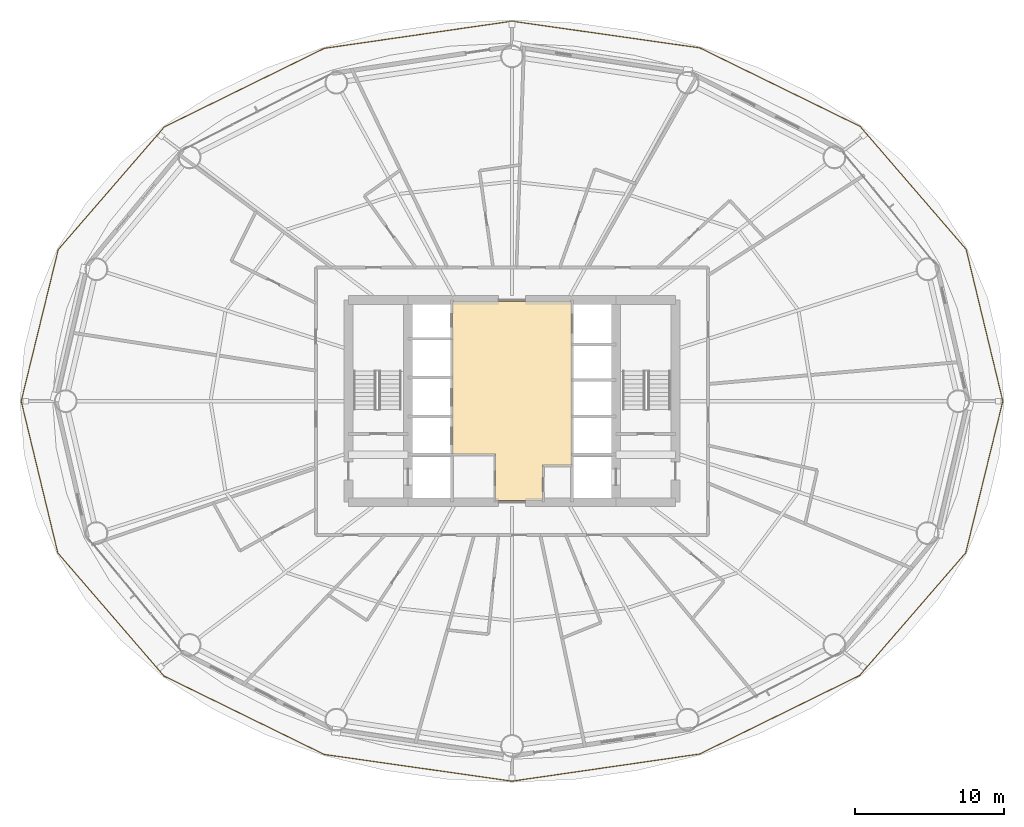
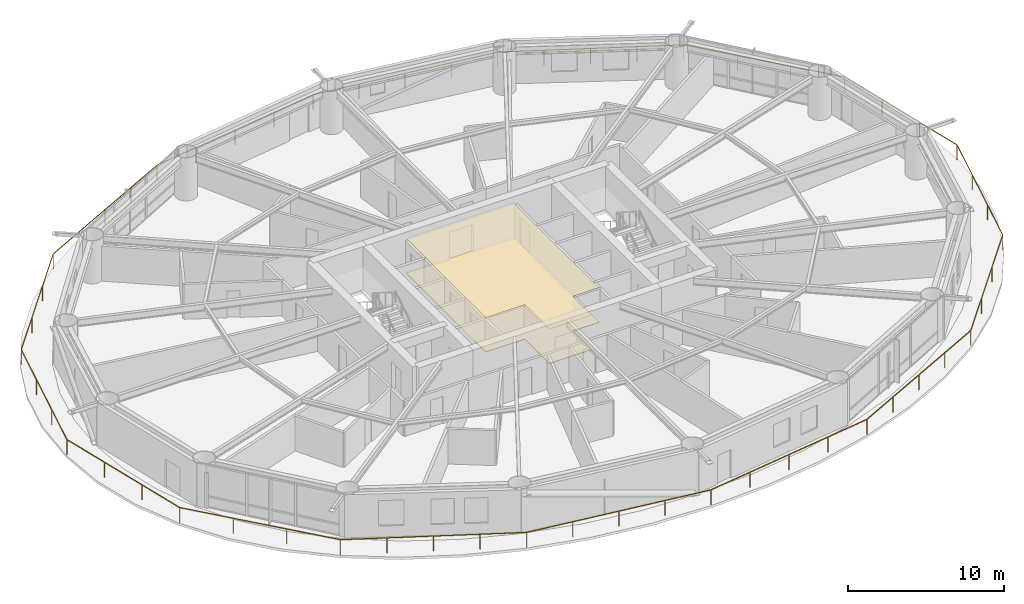
# One storey, part 25 of 26: 2 coverings, 1 railing.
"""IFC4 building model written with IfcOpenShell, lengths in metres."""

from ifc_helpers import new_model, si_unit, direction, frame, origin, origin_2d, place, context, subcontext, project, spatial, polyline, rectangle, outline, extrude, material, layer, layer_set, type_object, element, save


model = new_model("IFC4")

# Units and contexts
model_context = context("Model", 3, precision=1e-05, world=origin(), true_north=direction((0.0, 1.0)))
body_context = subcontext(model_context, "Body", "Model", "MODEL_VIEW")
ifc_project = project(units=[si_unit("LENGTHUNIT", "METRE"), si_unit("AREAUNIT", "SQUARE_METRE"), si_unit("VOLUMEUNIT", "CUBIC_METRE"), si_unit("PLANEANGLEUNIT", "RADIAN"), si_unit("MASSUNIT", "GRAM", prefix="KILO")], contexts=[model_context])

# Site, building, storey
site_placement = place(None, origin())
site = spatial("IfcSite", under=ifc_project, at=site_placement, CompositionType="ELEMENT")
building_placement = place(site_placement, origin())
building = spatial("IfcBuilding", under=site, at=building_placement, Name="Sarneth Arch Tower", CompositionType="ELEMENT")
storey_placement = place(building_placement, frame((0.0, 0.0, 35.39990234375)))
storey = spatial("IfcBuildingStorey", under=building, at=storey_placement, Name="L07", CompositionType="ELEMENT", Elevation=35.39990234375)

# Coverings
ifc_material_1 = material(Name="Perforated acoustic gypsum ceiling board")
ifc_layer_1 = layer(ifc_material_1, 0.02490234375)
ifc_layer_set_1 = layer_set([ifc_layer_1], Name="Perforated acoustic gypsum ceiling board")
covering_type_1 = type_object("IfcCoveringType", Name="COV-CEIL-GYP", PredefinedType="CEILING", material=ifc_layer_set_1)
covering_1_placement = place(storey_placement, frame((0.0, 0.0, 2.710205078125)))
element("IfcCovering", 1, at=covering_1_placement, inside=storey, type_object=covering_type_1, Name="L07 Lift lobby acoustic ceiling", PredefinedType="CEILING", context=body_context, shape_type="SweptSolid", body=[
    extrude(outline(polyline([(52.0, 37.699951171875), (50.050048828125, 37.699951171875), (50.050048828125, 35.300048828125), (46.89990234375, 35.300048828125), (46.89990234375, 38.449951171875), (44.0, 38.449951171875), (44.0, 48.699951171875), (52.0, 48.699951171875), (52.0, 37.699951171875)])), origin(), (0.0, 0.0, 1.0), 0.02978515625),
])
ifc_material_2 = material(Name="Honed granite stone flooring", Category="masonry")
ifc_layer_2 = layer(ifc_material_2, 0.030029296875)
ifc_layer_set_2 = layer_set([ifc_layer_2], Name="Honed granite stone flooring")
covering_type_2 = type_object("IfcCoveringType", Name="COV-FLR-STONE", PredefinedType="FLOORING", material=ifc_layer_set_2)
covering_2_placement = place(storey_placement, origin())
element("IfcCovering", 2, at=covering_2_placement, inside=storey, type_object=covering_type_2, Name="L07 Lift lobby granite flooring", PredefinedType="FLOORING", context=body_context, shape_type="SweptSolid", body=[
    extrude(outline(polyline([(52.0, 37.699951171875), (50.050048828125, 37.699951171875), (50.050048828125, 35.300048828125), (46.89990234375, 35.300048828125), (46.89990234375, 38.449951171875), (44.0, 38.449951171875), (44.0, 48.699951171875), (52.0, 48.699951171875), (52.0, 37.699951171875)])), origin(), (0.0, 0.0, 1.0), 0.030029296875),
])

# Railing
ifc_material_3 = material(Name="Laminated structural glass infill with Stainless Steel 316 top rail and posts", Category="steel")
railing_type = type_object("IfcRailingType", Name="RAIL-BALC-1200", PredefinedType="BALUSTRADE", material=ifc_material_3)
railing_placement = place(storey_placement, frame((81.02880859375, 42.0, 0.0)))
element("IfcRailing", 3, at=railing_placement, inside=storey, type_object=railing_type, Name="L07 Helical balcony glass balustrade", PredefinedType="BALUSTRADE", context=body_context, shape_type="SweptSolid", body=[
    extrude(rectangle(XDim=0.048095703125, YDim=0.048095703125, at=origin_2d()), frame((0.0, 0.0, 1.17578125), z_axis=(-0.234723032246, 0.972062291283, 0.0), x_axis=(-0.972062291283, -0.234723032246, 0.0)), (0.0, 0.0, 1.0), 10.510498046875),
    extrude(rectangle(XDim=0.048095703125, YDim=0.048095703125, at=origin_2d()), frame((-2.467041015625, 10.216796875, 1.17578125), z_axis=(-0.65319760514, 0.757187485792, 0.0), x_axis=(-0.757187485792, -0.65319760514, 0.0)), (0.0, 0.0, 1.0), 10.93115234375),
    extrude(rectangle(XDim=0.048095703125, YDim=0.048095703125, at=origin_2d()), frame((-9.607177734375, 18.49365234375, 1.17578125), z_axis=(-0.898128416746, 0.439733268054, 0.0), x_axis=(-0.439733268054, -0.898128416746, 0.0)), (0.0, 0.0, 1.0), 12.009521484375),
    extrude(rectangle(XDim=0.048095703125, YDim=0.048095703125, at=origin_2d()), frame((-20.393310546875, 23.774658203125, 1.17578125), z_axis=(-0.990047199283, 0.140735721092, 0.0), x_axis=(-0.140735721092, -0.990047199283, 0.0)), (0.0, 0.0, 1.0), 12.762451171875),
    extrude(rectangle(XDim=0.048095703125, YDim=0.048095703125, at=origin_2d()), frame((-33.02880859375, 25.57080078125, 1.17578125), z_axis=(-0.989696079255, -0.143184044879, 0.0), x_axis=(0.143184044879, -0.989696079255, 0.0)), (0.0, 0.0, 1.0), 12.75732421875),
    extrude(rectangle(XDim=0.048095703125, YDim=0.048095703125, at=origin_2d()), frame((-45.65478515625, 23.744140625, 1.17578125), z_axis=(-0.8976477026, -0.440713741579, 0.0), x_axis=(0.440713741579, -0.8976477026, 0.0)), (0.0, 0.0, 1.0), 11.99609375),
    extrude(rectangle(XDim=0.048095703125, YDim=0.048095703125, at=origin_2d()), frame((-56.423095703125, 18.457275390625, 1.17578125), z_axis=(-0.654099017156, -0.756408934212, 0.0), x_axis=(0.756408934212, -0.654099017156, 0.0)), (0.0, 0.0, 1.0), 10.914794921875),
    extrude(rectangle(XDim=0.048095703125, YDim=0.048095703125, at=origin_2d()), frame((-63.5625, 10.201171875, 1.17578125), z_axis=(-0.237587632347, -0.97136610861, 0.0), x_axis=(0.97136610861, -0.237587632347, 0.0)), (0.0, 0.0, 1.0), 10.501953125),
    extrude(rectangle(XDim=0.048095703125, YDim=0.048095703125, at=origin_2d()), frame((-66.0576171875, 0.0, 1.17578125), z_axis=(0.234723032246, -0.972062291283, 0.0), x_axis=(0.972062291283, 0.234723032246, 0.0)), (0.0, 0.0, 1.0), 10.510498046875),
    extrude(rectangle(XDim=0.048095703125, YDim=0.048095703125, at=origin_2d()), frame((-63.590576171875, -10.216796875, 1.17578125), z_axis=(0.65319760514, -0.757187485792, 0.0), x_axis=(0.757187485792, 0.65319760514, 0.0)), (0.0, 0.0, 1.0), 10.93115234375),
    extrude(rectangle(XDim=0.048095703125, YDim=0.048095703125, at=origin_2d()), frame((-56.450439453125, -18.49365234375, 1.17578125), z_axis=(0.898128416746, -0.439733268054, 0.0), x_axis=(0.439733268054, 0.898128416746, 0.0)), (0.0, 0.0, 1.0), 12.009521484375),
    extrude(rectangle(XDim=0.048095703125, YDim=0.048095703125, at=origin_2d()), frame((-45.664306640625, -23.774658203125, 1.17578125), z_axis=(0.990047199283, -0.140735721092, 0.0), x_axis=(0.140735721092, 0.990047199283, 0.0)), (0.0, 0.0, 1.0), 12.762451171875),
    extrude(rectangle(XDim=0.048095703125, YDim=0.048095703125, at=origin_2d()), frame((-33.02880859375, -25.57080078125, 1.17578125), z_axis=(0.989696079255, 0.143184044879, 0.0), x_axis=(-0.143184044879, 0.989696079255, 0.0)), (0.0, 0.0, 1.0), 12.75732421875),
    extrude(rectangle(XDim=0.048095703125, YDim=0.048095703125, at=origin_2d()), frame((-20.40283203125, -23.744140625, 1.17578125), z_axis=(0.8976477026, 0.440713741579, 0.0), x_axis=(-0.440713741579, 0.8976477026, 0.0)), (0.0, 0.0, 1.0), 11.99609375),
    extrude(rectangle(XDim=0.048095703125, YDim=0.048095703125, at=origin_2d()), frame((-9.634521484375, -18.457275390625, 1.17578125), z_axis=(0.654099017156, 0.756408934212, 0.0), x_axis=(-0.756408934212, 0.654099017156, 0.0)), (0.0, 0.0, 1.0), 10.914794921875),
    extrude(rectangle(XDim=0.048095703125, YDim=0.048095703125, at=origin_2d()), frame((-2.4951171875, -10.201171875, 1.17578125), z_axis=(0.237587632347, 0.97136610861, 0.0), x_axis=(-0.97136610861, 0.237587632347, 0.0)), (0.0, 0.0, 1.0), 10.501953125),
    extrude(rectangle(XDim=0.0419921875, YDim=0.0419921875, at=origin_2d()), origin(), (0.0, 0.0, 1.0), 1.15185546875),
    extrude(rectangle(XDim=0.0419921875, YDim=0.0419921875, at=origin_2d()), frame((-0.822265625, 3.405517578125, 0.0)), (0.0, 0.0, 1.0), 1.15185546875),
    extrude(rectangle(XDim=0.0419921875, YDim=0.0419921875, at=origin_2d()), frame((-1.644775390625, 6.811279296875, 0.0)), (0.0, 0.0, 1.0), 1.15185546875),
    extrude(rectangle(XDim=0.0419921875, YDim=0.0419921875, at=origin_2d()), frame((-2.467041015625, 10.216796875, 0.0)), (0.0, 0.0, 1.0), 1.15185546875),
    extrude(rectangle(XDim=0.0419921875, YDim=0.0419921875, at=origin_2d()), frame((-4.84716796875, 12.975830078125, 0.0)), (0.0, 0.0, 1.0), 1.15185546875),
    extrude(rectangle(XDim=0.0419921875, YDim=0.0419921875, at=origin_2d()), frame((-7.22705078125, 15.734619140625, 0.0)), (0.0, 0.0, 1.0), 1.15185546875),
    extrude(rectangle(XDim=0.0419921875, YDim=0.0419921875, at=origin_2d()), frame((-9.607177734375, 18.49365234375, 0.0)), (0.0, 0.0, 1.0), 1.15185546875),
    extrude(rectangle(XDim=0.0419921875, YDim=0.0419921875, at=origin_2d()), frame((-12.3037109375, 19.81396484375, 0.0)), (0.0, 0.0, 1.0), 1.15185546875),
    extrude(rectangle(XDim=0.0419921875, YDim=0.0419921875, at=origin_2d()), frame((-15.000244140625, 21.13427734375, 0.0)), (0.0, 0.0, 1.0), 1.15185546875),
    extrude(rectangle(XDim=0.0419921875, YDim=0.0419921875, at=origin_2d()), frame((-17.69677734375, 22.454345703125, 0.0)), (0.0, 0.0, 1.0), 1.15185546875),
    extrude(rectangle(XDim=0.0419921875, YDim=0.0419921875, at=origin_2d()), frame((-20.393310546875, 23.774658203125, 0.0)), (0.0, 0.0, 1.0), 1.15185546875),
    extrude(rectangle(XDim=0.0419921875, YDim=0.0419921875, at=origin_2d()), frame((-23.55224609375, 24.2236328125, 0.0)), (0.0, 0.0, 1.0), 1.15185546875),
    extrude(rectangle(XDim=0.0419921875, YDim=0.0419921875, at=origin_2d()), frame((-26.7109375, 24.6728515625, 0.0)), (0.0, 0.0, 1.0), 1.15185546875),
    extrude(rectangle(XDim=0.0419921875, YDim=0.0419921875, at=origin_2d()), frame((-29.869873046875, 25.121826171875, 0.0)), (0.0, 0.0, 1.0), 1.15185546875),
    extrude(rectangle(XDim=0.0419921875, YDim=0.0419921875, at=origin_2d()), frame((-33.02880859375, 25.57080078125, 0.0)), (0.0, 0.0, 1.0), 1.15185546875),
    extrude(rectangle(XDim=0.0419921875, YDim=0.0419921875, at=origin_2d()), frame((-36.185302734375, 25.1142578125, 0.0)), (0.0, 0.0, 1.0), 1.15185546875),
    extrude(rectangle(XDim=0.0419921875, YDim=0.0419921875, at=origin_2d()), frame((-39.341796875, 24.657470703125, 0.0)), (0.0, 0.0, 1.0), 1.15185546875),
    extrude(rectangle(XDim=0.0419921875, YDim=0.0419921875, at=origin_2d()), frame((-42.498291015625, 24.20068359375, 0.0)), (0.0, 0.0, 1.0), 1.15185546875),
    extrude(rectangle(XDim=0.0419921875, YDim=0.0419921875, at=origin_2d()), frame((-45.65478515625, 23.744140625, 0.0)), (0.0, 0.0, 1.0), 1.15185546875),
    extrude(rectangle(XDim=0.0419921875, YDim=0.0419921875, at=origin_2d()), frame((-48.346923828125, 22.42236328125, 0.0)), (0.0, 0.0, 1.0), 1.15185546875),
    extrude(rectangle(XDim=0.0419921875, YDim=0.0419921875, at=origin_2d()), frame((-51.0390625, 21.1005859375, 0.0)), (0.0, 0.0, 1.0), 1.15185546875),
    extrude(rectangle(XDim=0.0419921875, YDim=0.0419921875, at=origin_2d()), frame((-53.73095703125, 19.779052734375, 0.0)), (0.0, 0.0, 1.0), 1.15185546875),
    extrude(rectangle(XDim=0.0419921875, YDim=0.0419921875, at=origin_2d()), frame((-56.423095703125, 18.457275390625, 0.0)), (0.0, 0.0, 1.0), 1.15185546875),
    extrude(rectangle(XDim=0.0419921875, YDim=0.0419921875, at=origin_2d()), frame((-58.802978515625, 15.705322265625, 0.0)), (0.0, 0.0, 1.0), 1.15185546875),
    extrude(rectangle(XDim=0.0419921875, YDim=0.0419921875, at=origin_2d()), frame((-61.1826171875, 12.953125, 0.0)), (0.0, 0.0, 1.0), 1.15185546875),
    extrude(rectangle(XDim=0.0419921875, YDim=0.0419921875, at=origin_2d()), frame((-63.5625, 10.201171875, 0.0)), (0.0, 0.0, 1.0), 1.15185546875),
    extrude(rectangle(XDim=0.0419921875, YDim=0.0419921875, at=origin_2d()), frame((-64.394287109375, 6.80078125, 0.0)), (0.0, 0.0, 1.0), 1.15185546875),
    extrude(rectangle(XDim=0.0419921875, YDim=0.0419921875, at=origin_2d()), frame((-65.225830078125, 3.400390625, 0.0)), (0.0, 0.0, 1.0), 1.15185546875),
    extrude(rectangle(XDim=0.0419921875, YDim=0.0419921875, at=origin_2d()), frame((-66.0576171875, 0.0, 0.0)), (0.0, 0.0, 1.0), 1.15185546875),
    extrude(rectangle(XDim=0.0419921875, YDim=0.0419921875, at=origin_2d()), frame((-65.2353515625, -3.405517578125, 0.0)), (0.0, 0.0, 1.0), 1.15185546875),
    extrude(rectangle(XDim=0.0419921875, YDim=0.0419921875, at=origin_2d()), frame((-64.412841796875, -6.811279296875, 0.0)), (0.0, 0.0, 1.0), 1.15185546875),
    extrude(rectangle(XDim=0.0419921875, YDim=0.0419921875, at=origin_2d()), frame((-63.590576171875, -10.216796875, 0.0)), (0.0, 0.0, 1.0), 1.15185546875),
    extrude(rectangle(XDim=0.0419921875, YDim=0.0419921875, at=origin_2d()), frame((-61.21044921875, -12.975830078125, 0.0)), (0.0, 0.0, 1.0), 1.15185546875),
    extrude(rectangle(XDim=0.0419921875, YDim=0.0419921875, at=origin_2d()), frame((-58.83056640625, -15.734619140625, 0.0)), (0.0, 0.0, 1.0), 1.15185546875),
    extrude(rectangle(XDim=0.0419921875, YDim=0.0419921875, at=origin_2d()), frame((-56.450439453125, -18.49365234375, 0.0)), (0.0, 0.0, 1.0), 1.15185546875),
    extrude(rectangle(XDim=0.0419921875, YDim=0.0419921875, at=origin_2d()), frame((-53.75390625, -19.81396484375, 0.0)), (0.0, 0.0, 1.0), 1.15185546875),
    extrude(rectangle(XDim=0.0419921875, YDim=0.0419921875, at=origin_2d()), frame((-51.057373046875, -21.13427734375, 0.0)), (0.0, 0.0, 1.0), 1.15185546875),
    extrude(rectangle(XDim=0.0419921875, YDim=0.0419921875, at=origin_2d()), frame((-48.36083984375, -22.454345703125, 0.0)), (0.0, 0.0, 1.0), 1.15185546875),
    extrude(rectangle(XDim=0.0419921875, YDim=0.0419921875, at=origin_2d()), frame((-45.664306640625, -23.774658203125, 0.0)), (0.0, 0.0, 1.0), 1.15185546875),
    extrude(rectangle(XDim=0.0419921875, YDim=0.0419921875, at=origin_2d()), frame((-42.50537109375, -24.2236328125, 0.0)), (0.0, 0.0, 1.0), 1.15185546875),
    extrude(rectangle(XDim=0.0419921875, YDim=0.0419921875, at=origin_2d()), frame((-39.3466796875, -24.6728515625, 0.0)), (0.0, 0.0, 1.0), 1.15185546875),
    extrude(rectangle(XDim=0.0419921875, YDim=0.0419921875, at=origin_2d()), frame((-36.187744140625, -25.121826171875, 0.0)), (0.0, 0.0, 1.0), 1.15185546875),
    extrude(rectangle(XDim=0.0419921875, YDim=0.0419921875, at=origin_2d()), frame((-33.02880859375, -25.57080078125, 0.0)), (0.0, 0.0, 1.0), 1.15185546875),
    extrude(rectangle(XDim=0.0419921875, YDim=0.0419921875, at=origin_2d()), frame((-29.872314453125, -25.1142578125, 0.0)), (0.0, 0.0, 1.0), 1.15185546875),
    extrude(rectangle(XDim=0.0419921875, YDim=0.0419921875, at=origin_2d()), frame((-26.7158203125, -24.657470703125, 0.0)), (0.0, 0.0, 1.0), 1.15185546875),
    extrude(rectangle(XDim=0.0419921875, YDim=0.0419921875, at=origin_2d()), frame((-23.559326171875, -24.20068359375, 0.0)), (0.0, 0.0, 1.0), 1.15185546875),
    extrude(rectangle(XDim=0.0419921875, YDim=0.0419921875, at=origin_2d()), frame((-20.40283203125, -23.744140625, 0.0)), (0.0, 0.0, 1.0), 1.15185546875),
    extrude(rectangle(XDim=0.0419921875, YDim=0.0419921875, at=origin_2d()), frame((-17.710693359375, -22.42236328125, 0.0)), (0.0, 0.0, 1.0), 1.15185546875),
    extrude(rectangle(XDim=0.0419921875, YDim=0.0419921875, at=origin_2d()), frame((-15.0185546875, -21.1005859375, 0.0)), (0.0, 0.0, 1.0), 1.15185546875),
    extrude(rectangle(XDim=0.0419921875, YDim=0.0419921875, at=origin_2d()), frame((-12.32666015625, -19.779052734375, 0.0)), (0.0, 0.0, 1.0), 1.15185546875),
    extrude(rectangle(XDim=0.0419921875, YDim=0.0419921875, at=origin_2d()), frame((-9.634521484375, -18.457275390625, 0.0)), (0.0, 0.0, 1.0), 1.15185546875),
    extrude(rectangle(XDim=0.0419921875, YDim=0.0419921875, at=origin_2d()), frame((-7.254638671875, -15.705322265625, 0.0)), (0.0, 0.0, 1.0), 1.15185546875),
    extrude(rectangle(XDim=0.0419921875, YDim=0.0419921875, at=origin_2d()), frame((-4.875, -12.953125, 0.0)), (0.0, 0.0, 1.0), 1.15185546875),
    extrude(rectangle(XDim=0.0419921875, YDim=0.0419921875, at=origin_2d()), frame((-2.4951171875, -10.201171875, 0.0)), (0.0, 0.0, 1.0), 1.15185546875),
    extrude(rectangle(XDim=0.0419921875, YDim=0.0419921875, at=origin_2d()), frame((-1.663330078125, -6.80078125, 0.0)), (0.0, 0.0, 1.0), 1.15185546875),
    extrude(rectangle(XDim=0.0419921875, YDim=0.0419921875, at=origin_2d()), frame((-0.831787109375, -3.400390625, 0.0)), (0.0, 0.0, 1.0), 1.15185546875),
])

save(model, "model.ifc")
